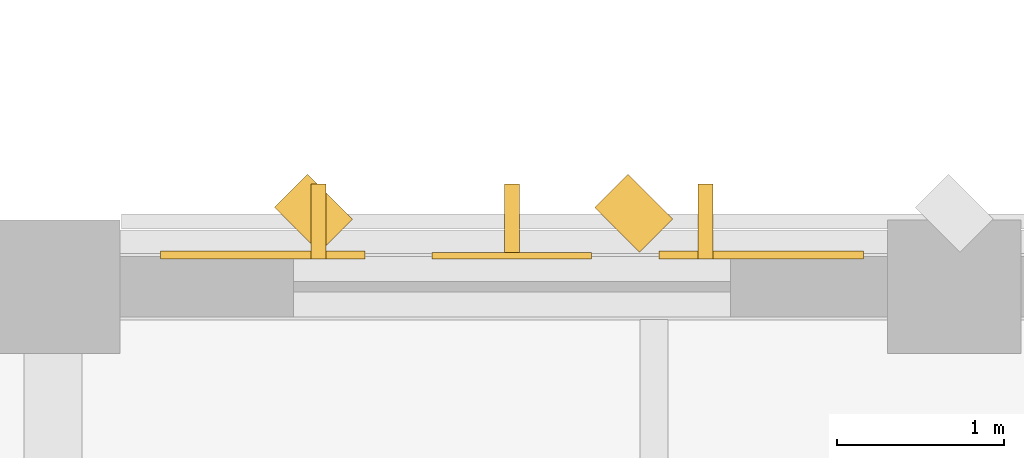
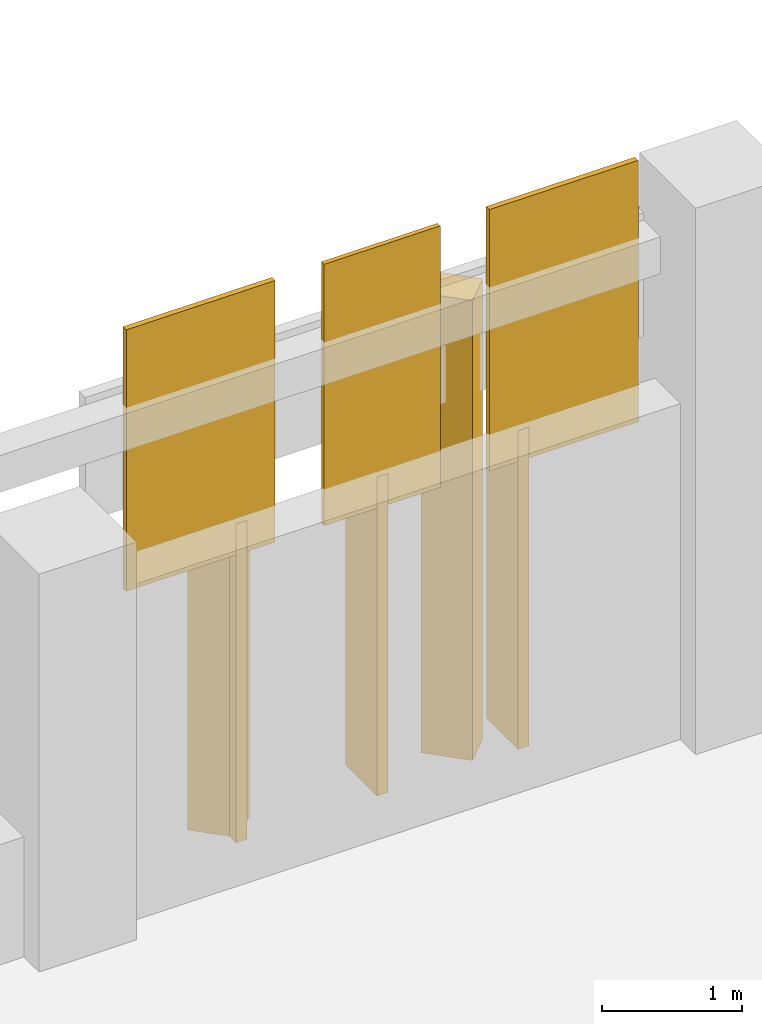
# One storey, part 142 of 158: 8 coverings.
"""IFC4 building model written with IfcOpenShell, lengths in metres."""

from ifc_helpers import new_model, si_unit, direction, frame, origin, origin_2d, place, context, subcontext, project, spatial, rectangle, extrude, material, layer, layer_set, type_object, element, save


model = new_model("IFC4")

# Units and contexts
model_context = context("Model", 3, precision=1e-05, world=origin(), true_north=direction((0.0, 1.0)))
body_context = subcontext(model_context, "Body", "Model", "MODEL_VIEW")
ifc_project = project(units=[si_unit("LENGTHUNIT", "METRE"), si_unit("AREAUNIT", "SQUARE_METRE"), si_unit("VOLUMEUNIT", "CUBIC_METRE"), si_unit("PLANEANGLEUNIT", "RADIAN"), si_unit("MASSUNIT", "GRAM", prefix="KILO")], contexts=[model_context])

# Site, building, storey
site_placement = place(None, origin())
site = spatial("IfcSite", under=ifc_project, at=site_placement, CompositionType="ELEMENT")
building_placement = place(site_placement, origin())
building = spatial("IfcBuilding", under=site, at=building_placement, Name="Lusvemor Sports Hall", CompositionType="ELEMENT")
storey_placement = place(building_placement, frame((0.0, 0.0, 10.800048828125)))
storey = spatial("IfcBuildingStorey", under=building, at=storey_placement, Name="L02", CompositionType="ELEMENT", Elevation=10.800048828125)

# Coverings
ifc_material_1 = material(Name="Emerald polychrome glazed ceramic cladding on Concrete C40/50 backing", Category="concrete")
ifc_layer_1 = layer(ifc_material_1, 0.0458984375)
ifc_layer_set_1 = layer_set([ifc_layer_1], Name="Emerald polychrome glazed ceramic cladding on Concrete C40/50 backing")
covering_type_1 = type_object("IfcCoveringType", Name="CLAD_WAVE_EMERALD", PredefinedType="CLADDING", material=ifc_layer_set_1)
for number, where, z_axis, x_axis, name in (
    (1, (33.65673828125, 46.990478515625, 2.60107421875), (0.0, 0.0, 1.0), (1.0, 0.0, 0.0), "Art Nouveau Patterned Cladding PS-WAVEN-3-1-1"),
    (2, (36.643310546875, 46.990478515625, 2.60107421875), (0.0, 0.0, 1.0), (1.0, 0.0, 0.0), "Art Nouveau Patterned Cladding PS-WAVEN-3-1-3"),
):
    element("IfcCovering", number, at=place(storey_placement, frame(where, z_axis=z_axis, x_axis=x_axis)), inside=storey, type_object=covering_type_1, Name=name, PredefinedType="CLADDING", context=body_context, shape_type="SweptSolid", body=[
        extrude(rectangle(XDim=1.224609375, YDim=0.0458984375, at=origin_2d()), origin(), (0.0, 0.0, 1.0), 2.273193359375),
    ])
covering_1_placement = place(storey_placement, frame((35.8798828125, 47.239990234375, 0.099853515625), z_axis=(0.0, 0.0, 1.0), x_axis=(0.707106781187, 0.707106781187, 0.0)))
element("IfcCovering", 3, at=covering_1_placement, inside=storey, type_object=covering_type_1, Name="Patterned Diamond Cladding Rib 1510", PredefinedType="CLADDING", context=body_context, shape_type="SweptSolid", body=[
    extrude(rectangle(XDim=0.280029296875, YDim=0.3798828125, at=origin_2d()), origin(), (0.0, 0.0, 1.0), 4.0),
])
ifc_material_2 = material(Name="Warm terracotta Art Nouveau ceramic cladding on Concrete C40/50 backing", Category="masonry")
ifc_layer_2 = layer(ifc_material_2, 0.0380859375)
ifc_layer_set_2 = layer_set([ifc_layer_2], Name="Warm terracotta Art Nouveau ceramic cladding on Concrete C40/50 backing")
covering_type_2 = type_object("IfcCoveringType", Name="CLAD_WAVE_OCHRE", PredefinedType="CLADDING", material=ifc_layer_set_2)
covering_2_placement = place(storey_placement, frame((35.14990234375, 46.986572265625, 2.60107421875), z_axis=(0.0, 0.0, 1.0), x_axis=(1.0, 0.0, 0.0)))
element("IfcCovering", 4, at=covering_2_placement, inside=storey, type_object=covering_type_2, Name="Art Nouveau Patterned Cladding PS-WAVEN-3-1-2", PredefinedType="CLADDING", context=body_context, shape_type="SweptSolid", body=[
    extrude(rectangle(XDim=0.955810546875, YDim=0.0380859375, at=origin_2d()), origin(), (0.0, 0.0, 1.0), 2.273193359375),
])
ifc_material_3 = material(Name="Warm terracotta Art Nouveau ceramic cladding on Concrete C40/50 backing", Category="masonry")
ifc_layer_3 = layer(ifc_material_3, 0.449951171875)
ifc_layer_set_3 = layer_set([ifc_layer_3], Name="Warm terracotta Art Nouveau ceramic cladding on Concrete C40/50 backing")
covering_type_3 = type_object("IfcCoveringType", Name="FIN_BRISE_CER_450", PredefinedType="MOLDING", material=ifc_layer_set_3)
for number, where, z_axis, x_axis, name in (
    (5, (33.989990234375, 47.18994140625, 0.10009765625), (0.0, 0.0, 1.0), (1.0, 0.0, 0.0), "Coastal Ceramic Brise-Soleil Fin N-3.1.1"),
    (6, (35.14990234375, 47.18994140625, 0.10009765625), (0.0, 0.0, 1.0), (1.0, 0.0, 0.0), "Coastal Ceramic Brise-Soleil Fin N-3.1.2"),
    (7, (36.31005859375, 47.18994140625, 0.10009765625), (0.0, 0.0, 1.0), (1.0, 0.0, 0.0), "Coastal Ceramic Brise-Soleil Fin N-3.1.3"),
):
    element("IfcCovering", number, at=place(storey_placement, frame(where, z_axis=z_axis, x_axis=x_axis)), inside=storey, type_object=covering_type_3, Name=name, PredefinedType="MOLDING", context=body_context, shape_type="SweptSolid", body=[
        extrude(rectangle(XDim=0.090087890625, YDim=0.449951171875, at=origin_2d()), origin(), (0.0, 0.0, 1.0), 2.771240234375),
    ])
covering_3_placement = place(storey_placement, frame((33.9599609375, 47.239990234375, 0.099853515625), z_axis=(0.0, 0.0, 1.0), x_axis=(0.707106781187, 0.707106781187, 0.0)))
element("IfcCovering", 8, at=covering_3_placement, inside=storey, type_object=covering_type_3, Name="Patterned Diamond Cladding Rib 1509", PredefinedType="MOLDING", context=body_context, shape_type="SweptSolid", body=[
    extrude(rectangle(XDim=0.280029296875, YDim=0.3798828125, at=origin_2d()), origin(), (0.0, 0.0, 1.0), 4.0),
])

save(model, "model.ifc")
